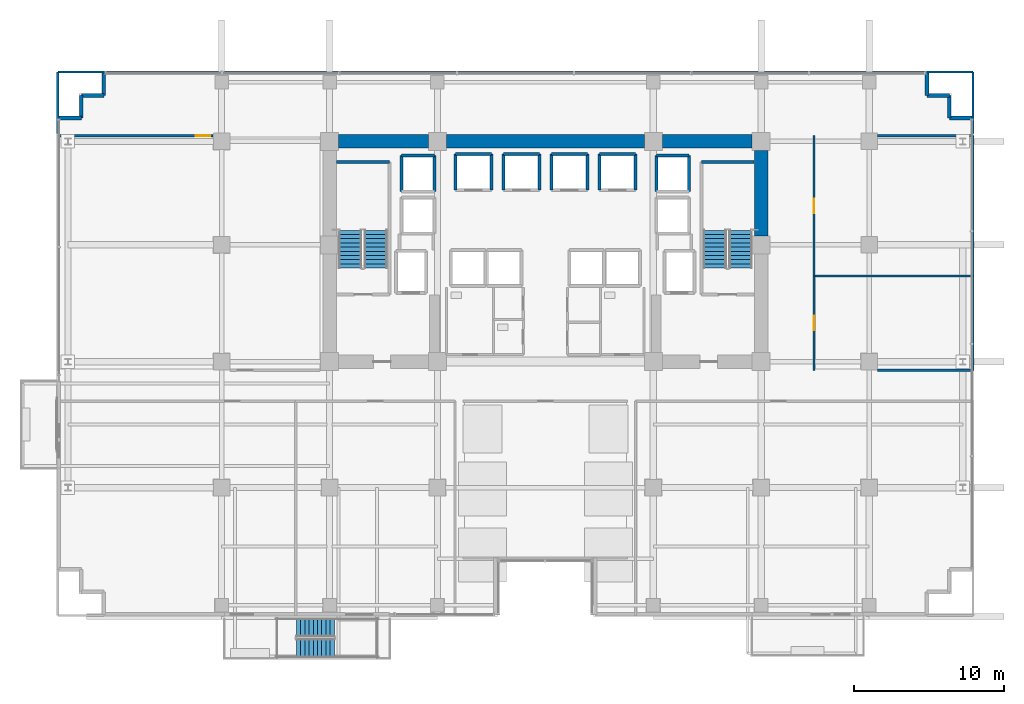
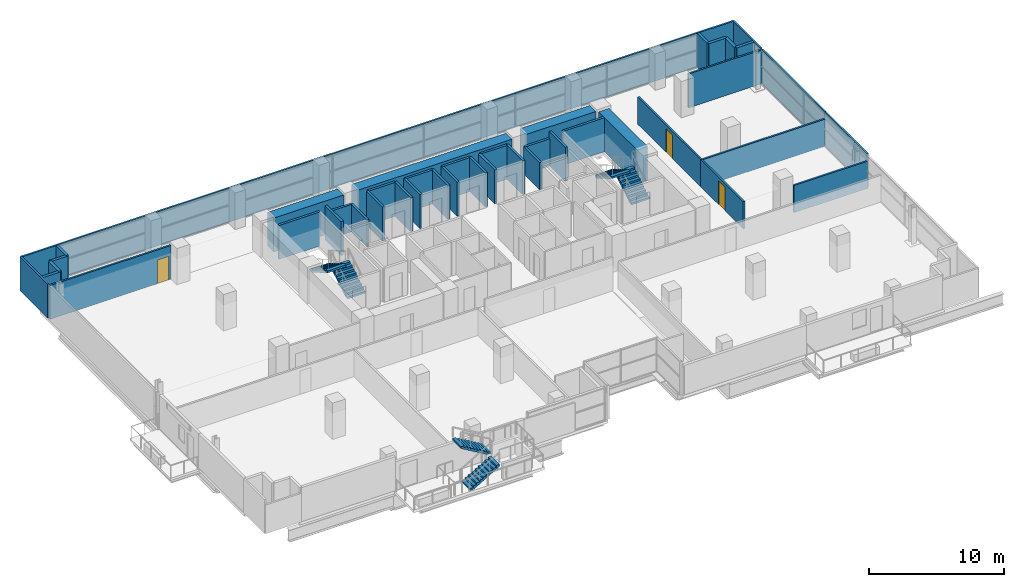
# One storey, part 27 of 32: 43 walls, 6 stair flights, 3 doors, 3 openings, 3 elements without a shape of their own.
"""IFC4 building model written with IfcOpenShell, lengths in metres."""

from ifc_helpers import new_model, si_unit, direction, frame, frame_2d, origin, place, context, subcontext, project, spatial, polyline, rectangle, outline, extrude, source, transform, mapped, material, layer, layer_set, type_object, element, fill, aggregate, save


model = new_model("IFC4")

# Units and contexts
model_context = context("Model", 3, precision=1e-05, world=origin(), true_north=direction((0.0, 1.0)))
body_context = subcontext(model_context, "Body", "Model", "MODEL_VIEW")
ifc_project = project(units=[si_unit("LENGTHUNIT", "METRE"), si_unit("AREAUNIT", "SQUARE_METRE"), si_unit("VOLUMEUNIT", "CUBIC_METRE"), si_unit("PLANEANGLEUNIT", "RADIAN"), si_unit("MASSUNIT", "GRAM", prefix="KILO")], contexts=[model_context])

# Site, building, storey
site_placement = place(None, origin())
site = spatial("IfcSite", under=ifc_project, at=site_placement, CompositionType="ELEMENT")
building_placement = place(site_placement, origin())
building = spatial("IfcBuilding", under=site, at=building_placement, Name="Zarnakvel Exchange Tower", CompositionType="ELEMENT")
storey_placement = place(building_placement, frame((0.0, 0.0, 27.39990234375)))
storey = spatial("IfcBuildingStorey", under=building, at=storey_placement, Name="L06", CompositionType="ELEMENT", Elevation=27.39990234375)

# Walls
ifc_material_1 = material(Name="Concrete C80/95", Category="concrete")
ifc_layer_1 = layer(ifc_material_1, 0.89990234375)
ifc_layer_set_1 = layer_set([ifc_layer_1], Name="Concrete C80/95")
wall_type_1 = type_object("IfcWallType", Name="CW-C1", PredefinedType="SHEAR", material=ifc_layer_set_1)
wall_1_placement = place(storey_placement, frame((-13.800048828125, 13.5, 0.0), z_axis=(0.0, 0.0, 1.0), x_axis=(1.0, 0.0, 0.0)))
element("IfcWall", 1, at=wall_1_placement, inside=storey, type_object=wall_type_1, Name="L06 Rear Core Shear Wall N1 (CW-C1)", PredefinedType="SHEAR", context=body_context, shape_type="SweptSolid", body=[
    extrude(rectangle(XDim=6.0, YDim=0.89990234375, at=frame_2d((3.0, 0.0))), origin(), (0.0, 0.0, 1.0), 3.0751953125),
])
wall_2_placement = place(storey_placement, frame((-6.60009765625, 13.5, 0.0), z_axis=(0.0, 0.0, 1.0), x_axis=(1.0, 0.0, 0.0)))
element("IfcWall", 2, at=wall_2_placement, inside=storey, type_object=wall_type_1, Name="L06 Rear Core Shear Wall N2 (CW-C1)", PredefinedType="SHEAR", context=body_context, shape_type="SweptSolid", body=[
    extrude(rectangle(XDim=13.2001953125, YDim=0.89990234375, at=frame_2d((6.60009765625, 0.0))), origin(), (0.0, 0.0, 1.0), 3.0751953125),
])
wall_3_placement = place(storey_placement, frame((7.800048828125, 13.5, 0.0), z_axis=(0.0, 0.0, 1.0), x_axis=(1.0, 0.0, 0.0)))
element("IfcWall", 3, at=wall_3_placement, inside=storey, type_object=wall_type_1, Name="L06 Rear Core Shear Wall N3 (CW-C1)", PredefinedType="SHEAR", context=body_context, shape_type="SweptSolid", body=[
    extrude(rectangle(XDim=6.0, YDim=0.89990234375, at=frame_2d((3.0, 0.0))), origin(), (0.0, 0.0, 1.0), 3.0751953125),
])
wall_4_placement = place(storey_placement, frame((14.39990234375, 7.199951171875, 0.0), z_axis=(0.0, 0.0, 1.0), x_axis=(0.0, 1.0, 0.0)))
element("IfcWall", 4, at=wall_4_placement, inside=storey, type_object=wall_type_1, Name="L06 Rear Core Shear Wall E2 (CW-C1)", PredefinedType="SHEAR", context=body_context, shape_type="SweptSolid", body=[
    extrude(rectangle(XDim=5.699951171875, YDim=0.89990234375, at=frame_2d((2.85009765625, 0.0))), origin(), (0.0, 0.0, 1.0), 3.0751953125),
])
ifc_material_2 = material(Name="Precast concrete C40/50", Category="concrete")
ifc_layer_2 = layer(ifc_material_2, 0.239990234375)
ifc_layer_set_2 = layer_set([ifc_layer_2], Name="Precast concrete C40/50")
wall_type_2 = type_object("IfcWallType", Name="EW-02", PredefinedType="SOLIDWALL", material=ifc_layer_set_2)
for number, where, z_axis, x_axis, name in (
    (5, (-30.9599609375, 15.06005859375, 0.0), (0.0, 0.0, 1.0), (-1.0, 0.0, 0.0), "L06 Exterior Precast Spandrel Wall EWC-L06-03 (EW-02)"),
    (6, (-30.9599609375, 16.56005859375, 0.0), (0.0, 0.0, 1.0), (0.0, -1.0, 0.0), "L06 Exterior Precast Spandrel Wall EWC-L06-04 (EW-02)"),
    (7, (-29.4599609375, 16.56005859375, 0.0), (0.0, 0.0, 1.0), (-1.0, 0.0, 0.0), "L06 Exterior Precast Spandrel Wall EWC-L06-05 (EW-02)"),
    (8, (-29.4599609375, 18.06005859375, 0.0), (0.0, 0.0, 1.0), (0.0, -1.0, 0.0), "L06 Exterior Precast Spandrel Wall EWC-L06-06 (EW-02)"),
    (9, (25.4599609375, 16.56005859375, 0.0), (0.0, 0.0, 1.0), (0.0, 1.0, 0.0), "L06 Exterior Precast Spandrel Wall EWC-L06-07 (EW-02)"),
    (10, (26.9599609375, 16.56005859375, 0.0), (0.0, 0.0, 1.0), (-1.0, 0.0, 0.0), "L06 Exterior Precast Spandrel Wall EWC-L06-08 (EW-02)"),
    (11, (26.9599609375, 15.06005859375, 0.0), (0.0, 0.0, 1.0), (0.0, 1.0, 0.0), "L06 Exterior Precast Spandrel Wall EWC-L06-09 (EW-02)"),
    (12, (28.4599609375, 15.06005859375, 0.0), (0.0, 0.0, 1.0), (-1.0, 0.0, 0.0), "L06 Exterior Precast Spandrel Wall EWC-L06-10 (EW-02)"),
):
    element("IfcWall", number, at=place(storey_placement, frame(where, z_axis=z_axis, x_axis=x_axis)), inside=storey, type_object=wall_type_2, Name=name, PredefinedType="SOLIDWALL", context=body_context, shape_type="SweptSolid", body=[
        extrude(rectangle(XDim=1.5, YDim=0.239990234375, at=frame_2d((0.75, 0.0))), origin(), (0.0, 0.0, 1.0), 3.0751953125),
    ])

# Wall, opening, door
ifc_material_3 = material(Name="Fire-Rated Gypsum Stud Partition", Category="gypsum")
ifc_layer_3 = layer(ifc_material_3, 0.14990234375)
ifc_layer_set_3 = layer_set([ifc_layer_3], Name="Fire-Rated Gypsum Stud Partition")
wall_type_3 = type_object("IfcWallType", Name="PT-01", PredefinedType="PARTITIONING", material=ifc_layer_set_3)
wall_5_placement = place(storey_placement, frame((-32.530029296875, 13.8798828125, 0.0), z_axis=(0.0, 0.0, 1.0), x_axis=(1.0, 0.0, 0.0)))
wall_5 = element("IfcWall", 13, at=wall_5_placement, inside=storey, type_object=wall_type_3, Name="L06 Partition Wall PWALL-L06-041 (PT-01)", PredefinedType="PARTITIONING", context=body_context, shape_type="SweptSolid", body=[
    extrude(rectangle(XDim=10.360107421875, YDim=0.14990234375, at=frame_2d((5.18017578125, 0.0))), origin(), (0.0, 0.0, 1.0), 3.0751953125),
])
opening_1_placement = place(wall_5_placement, frame((9.199951171875, 0.0, 0.0)))
opening_1 = element("IfcOpeningElement", 14, at=opening_1_placement, cuts=wall_5, Name="Opening D-L06-18", PredefinedType="OPENING", context=body_context, shape_type="SweptSolid", body=[
    extrude(rectangle(XDim=0.97998046875, YDim=2.14990234375, at=frame_2d((0.489990234375, 1.074951171875))), frame((0.0, 0.0849609375, 0.0), z_axis=(0.0, -1.0, 0.0), x_axis=(1.0, 0.0, 0.0)), (0.0, 0.0, 1.0), 0.169921875),
])
ifc_material_4 = material(Name="Timber Acoustic Veneer", Category="wood")
door_type = type_object("IfcDoorType", Name="DT-05", OperationType="NOTDEFINED", PredefinedType="DOOR", material=ifc_material_4)
shared_shape = source(origin(), body_context, "Body", "SweptSolid", [
    extrude(rectangle(XDim=0.97998046875, YDim=2.14990234375, at=frame_2d((0.489990234375, 1.074951171875))), frame((0.0, 0.02490234375, 0.0), z_axis=(0.0, -1.0, 0.0), x_axis=(1.0, 0.0, 0.0)), (0.0, 0.0, 1.0), 0.050048828125),
])
door_1_placement = place(opening_1_placement, origin())
door_1 = element("IfcDoor", 15, at=door_1_placement, inside=storey, type_object=door_type, Name="L06 Market Data Suite Door D-L06-18", OperationType="SINGLE_SWING_LEFT", OverallHeight=2.14990234375, OverallWidth=0.97998046875, PredefinedType="DOOR", context=body_context, shape_type="MappedRepresentation", body=[
    mapped(shared_shape, transform((0.0, 0.0, 0.0), x_axis=(1.0, 0.0, 0.0), y_axis=(0.0, 1.0, 0.0), z_axis=(0.0, 0.0, 1.0), scale=1.0)),
])
fill(opening_1, door_1)

# Walls
wall_6_placement = place(storey_placement, frame((28.530029296875, -1.77001953125, 0.0), z_axis=(0.0, 0.0, 1.0), x_axis=(-1.0, 0.0, 0.0)))
element("IfcWall", 16, at=wall_6_placement, inside=storey, type_object=wall_type_3, Name="L06 Partition Wall PWALL-L06-043 (PT-01)", PredefinedType="PARTITIONING", context=body_context, shape_type="SweptSolid", body=[
    extrude(rectangle(XDim=6.360107421875, YDim=0.14990234375, at=frame_2d((3.18017578125, 0.0))), origin(), (0.0, 0.0, 1.0), 2.465087890625),
])
wall_7_placement = place(storey_placement, frame((17.929931640625, 4.52197265625, 0.0), z_axis=(0.0, 0.0, 1.0), x_axis=(1.0, 0.0, 0.0)))
element("IfcWall", 17, at=wall_7_placement, inside=storey, type_object=wall_type_3, Name="L06 Partition Wall PWALL-L06-044 (PT-01)", PredefinedType="PARTITIONING", context=body_context, shape_type="SweptSolid", body=[
    extrude(rectangle(XDim=10.60009765625, YDim=0.14990234375, at=frame_2d((5.300048828125, 0.0))), origin(), (0.0, 0.0, 1.0), 2.465087890625),
])

# Wall, opening, door
wall_8_placement = place(storey_placement, frame((17.929931640625, -1.77001953125, 0.0), z_axis=(0.0, 0.0, 1.0), x_axis=(0.0, 1.0, 0.0)))
wall_8 = element("IfcWall", 18, at=wall_8_placement, inside=storey, type_object=wall_type_3, Name="L06 Partition Wall PWALL-L06-045 (PT-01)", PredefinedType="PARTITIONING", context=body_context, shape_type="SweptSolid", body=[
    extrude(rectangle(XDim=6.2919921875, YDim=0.14990234375, at=frame_2d((3.14599609375, 0.0))), origin(), (0.0, 0.0, 1.0), 2.465087890625),
])
opening_2_placement = place(wall_8_placement, frame((2.656005859375, 0.0, 0.0)))
opening_2 = element("IfcOpeningElement", 19, at=opening_2_placement, cuts=wall_8, Name="Opening D-L06-16", PredefinedType="OPENING", context=body_context, shape_type="SweptSolid", body=[
    extrude(rectangle(XDim=0.97998046875, YDim=2.14990234375, at=frame_2d((0.489990234375, 1.074951171875))), frame((0.0, 0.0849609375, 0.0), z_axis=(0.0, -1.0, 0.0), x_axis=(1.0, 0.0, 0.0)), (0.0, 0.0, 1.0), 0.169921875),
])
door_2_placement = place(opening_2_placement, origin())
door_2 = element("IfcDoor", 20, at=door_2_placement, inside=storey, type_object=door_type, Name="L06 Staff Pantry Door D-L06-16", OperationType="SINGLE_SWING_LEFT", OverallHeight=2.14990234375, OverallWidth=0.97998046875, PredefinedType="DOOR", context=body_context, shape_type="MappedRepresentation", body=[
    mapped(shared_shape, transform((0.0, 0.0, 0.0), x_axis=(1.0, 0.0, 0.0), y_axis=(0.0, 1.0, 0.0), z_axis=(0.0, 0.0, 1.0), scale=1.0)),
])
fill(opening_2, door_2)

# Walls
wall_9_placement = place(storey_placement, frame((28.530029296875, 4.52197265625, 0.0), z_axis=(0.0, 0.0, 1.0), x_axis=(0.0, -1.0, 0.0)))
element("IfcWall", 21, at=wall_9_placement, inside=storey, type_object=wall_type_3, Name="L06 Partition Wall PWALL-L06-046 (PT-01)", PredefinedType="PARTITIONING", context=body_context, shape_type="SweptSolid", body=[
    extrude(rectangle(XDim=6.2919921875, YDim=0.14990234375, at=frame_2d((3.14599609375, 0.0))), origin(), (0.0, 0.0, 1.0), 3.0751953125),
])
wall_10_placement = place(storey_placement, frame((22.169921875, 13.8798828125, 0.0), z_axis=(0.0, 0.0, 1.0), x_axis=(1.0, 0.0, 0.0)))
element("IfcWall", 22, at=wall_10_placement, inside=storey, type_object=wall_type_3, Name="L06 Partition Wall PWALL-L06-047 (PT-01)", PredefinedType="PARTITIONING", context=body_context, shape_type="SweptSolid", body=[
    extrude(rectangle(XDim=6.360107421875, YDim=0.14990234375, at=frame_2d((3.18017578125, 0.0))), origin(), (0.0, 0.0, 1.0), 3.0751953125),
])

# Wall, opening, door
wall_11_placement = place(storey_placement, frame((17.929931640625, 4.52197265625, 0.0), z_axis=(0.0, 0.0, 1.0), x_axis=(0.0, 1.0, 0.0)))
wall_11 = element("IfcWall", 23, at=wall_11_placement, inside=storey, type_object=wall_type_3, Name="L06 Partition Wall PWALL-L06-048 (PT-01)", PredefinedType="PARTITIONING", context=body_context, shape_type="SweptSolid", body=[
    extrude(rectangle(XDim=9.35791015625, YDim=0.14990234375, at=frame_2d((4.678955078125, 0.0))), origin(), (0.0, 0.0, 1.0), 2.465087890625),
])
opening_3_placement = place(wall_11_placement, frame((4.18896484375, 0.0, 0.0)))
opening_3 = element("IfcOpeningElement", 24, at=opening_3_placement, cuts=wall_11, Name="Opening D-L06-17", PredefinedType="OPENING", context=body_context, shape_type="SweptSolid", body=[
    extrude(rectangle(XDim=0.97998046875, YDim=2.14990234375, at=frame_2d((0.489990234375, 1.074951171875))), frame((0.0, 0.0849609375, 0.0), z_axis=(0.0, -1.0, 0.0), x_axis=(1.0, 0.0, 0.0)), (0.0, 0.0, 1.0), 0.169921875),
])
door_3_placement = place(opening_3_placement, origin())
door_3 = element("IfcDoor", 25, at=door_3_placement, inside=storey, type_object=door_type, Name="L06 Market Data Suite Door D-L06-17", OperationType="SINGLE_SWING_RIGHT", OverallHeight=2.14990234375, OverallWidth=0.97998046875, PredefinedType="DOOR", context=body_context, shape_type="MappedRepresentation", body=[
    mapped(shared_shape, transform((0.0, 0.0, 0.0), x_axis=(1.0, 0.0, 0.0), y_axis=(0.0, 1.0, 0.0), z_axis=(0.0, 0.0, 1.0), scale=1.0)),
])
fill(opening_3, door_3)

# Walls
wall_12_placement = place(storey_placement, frame((28.530029296875, 13.8798828125, 0.0), z_axis=(0.0, 0.0, 1.0), x_axis=(0.0, -1.0, 0.0)))
element("IfcWall", 26, at=wall_12_placement, inside=storey, type_object=wall_type_3, Name="L06 Partition Wall PWALL-L06-049 (PT-01)", PredefinedType="PARTITIONING", context=body_context, shape_type="SweptSolid", body=[
    extrude(rectangle(XDim=9.35791015625, YDim=0.14990234375, at=frame_2d((4.678955078125, 0.0))), origin(), (0.0, 0.0, 1.0), 3.0751953125),
])
wall_13_placement = place(storey_placement, frame((-32.530029296875, 18.1298828125, 0.0), z_axis=(0.0, 0.0, 1.0), x_axis=(1.0, 0.0, 0.0)))
element("IfcWall", 27, at=wall_13_placement, inside=storey, type_object=wall_type_3, Name="L06 Partition Wall PWALL-L06-050 (PT-01)", PredefinedType="PARTITIONING", context=body_context, shape_type="SweptSolid", body=[
    extrude(rectangle(XDim=61.06005859375, YDim=0.14990234375, at=frame_2d((30.530029296875, 0.0))), origin(), (0.0, 0.0, 1.0), 3.0751953125),
])
for number, where, z_axis, x_axis, name in (
    (28, (-32.530029296875, 14.030029296875, 0.0), (0.0, 0.0, 1.0), (0.0, 1.0, 0.0), "L06 Partition Wall PWALL-L06-051 (PT-01)"),
    (29, (28.530029296875, 18.1298828125, 0.0), (0.0, 0.0, 1.0), (0.0, -1.0, 0.0), "L06 Partition Wall PWALL-L06-052 (PT-01)"),
):
    element("IfcWall", number, at=place(storey_placement, frame(where, z_axis=z_axis, x_axis=x_axis)), inside=storey, type_object=wall_type_3, Name=name, PredefinedType="PARTITIONING", context=body_context, shape_type="SweptSolid", body=[
        extrude(rectangle(XDim=4.099853515625, YDim=0.14990234375, at=frame_2d((2.0498046875, 0.0))), origin(), (0.0, 0.0, 1.0), 3.0751953125),
    ])
ifc_material_5 = material(Name="Concrete C40/50", Category="concrete")
ifc_layer_4 = layer(ifc_material_5, 0.199951171875)
ifc_layer_set_4 = layer_set([ifc_layer_4], Name="Concrete C40/50")
wall_type_4 = type_object("IfcWallType", Name="SW-01", PredefinedType="SOLIDWALL", material=ifc_layer_set_4)
for number, where, z_axis, x_axis, name in (
    (30, (-6.0, 12.64990234375, 0.0), (0.0, 0.0, 1.0), (1.0, 0.0, 0.0), "L06 PL-01 Hoistway Wall North"),
    (31, (-6.0, 10.25, 0.0), (0.0, 0.0, 1.0), (0.0, 1.0, 0.0), "L06 PL-01 Hoistway Wall West"),
    (32, (-3.60009765625, 12.64990234375, 0.0), (0.0, 0.0, 1.0), (0.0, -1.0, 0.0), "L06 PL-01 Hoistway Wall East"),
):
    element("IfcWall", number, at=place(storey_placement, frame(where, z_axis=z_axis, x_axis=x_axis)), inside=storey, type_object=wall_type_4, Name=name, PredefinedType="SOLIDWALL", context=body_context, shape_type="SweptSolid", body=[
        extrude(rectangle(XDim=2.39990234375, YDim=0.199951171875, at=frame_2d((1.199951171875, 0.0))), origin(), (0.0, 0.0, 1.0), 3.0751953125),
    ])
wall_14_placement = place(storey_placement, frame((-2.800048828125, 12.64990234375, 0.0), z_axis=(0.0, 0.0, 1.0), x_axis=(1.0, 0.0, 0.0)))
element("IfcWall", 33, at=wall_14_placement, inside=storey, type_object=wall_type_4, Name="L06 PL-02 Hoistway Wall North", PredefinedType="SOLIDWALL", context=body_context, shape_type="SweptSolid", body=[
    extrude(rectangle(XDim=2.400146484375, YDim=0.199951171875, at=frame_2d((1.2001953125, 0.0))), origin(), (0.0, 0.0, 1.0), 3.0751953125),
])
for number, where, z_axis, x_axis, name in (
    (34, (-2.800048828125, 10.25, 0.0), (0.0, 0.0, 1.0), (0.0, 1.0, 0.0), "L06 PL-02 Hoistway Wall West"),
    (35, (-0.39990234375, 12.64990234375, 0.0), (0.0, 0.0, 1.0), (0.0, -1.0, 0.0), "L06 PL-02 Hoistway Wall East"),
):
    element("IfcWall", number, at=place(storey_placement, frame(where, z_axis=z_axis, x_axis=x_axis)), inside=storey, type_object=wall_type_4, Name=name, PredefinedType="SOLIDWALL", context=body_context, shape_type="SweptSolid", body=[
        extrude(rectangle(XDim=2.39990234375, YDim=0.199951171875, at=frame_2d((1.199951171875, 0.0))), origin(), (0.0, 0.0, 1.0), 3.0751953125),
    ])
wall_15_placement = place(storey_placement, frame((0.39990234375, 12.64990234375, 0.0), z_axis=(0.0, 0.0, 1.0), x_axis=(1.0, 0.0, 0.0)))
element("IfcWall", 36, at=wall_15_placement, inside=storey, type_object=wall_type_4, Name="L06 PL-03 Hoistway Wall North", PredefinedType="SOLIDWALL", context=body_context, shape_type="SweptSolid", body=[
    extrude(rectangle(XDim=2.400146484375, YDim=0.199951171875, at=frame_2d((1.2001953125, 0.0))), origin(), (0.0, 0.0, 1.0), 3.0751953125),
])
for number, where, z_axis, x_axis, name in (
    (37, (0.39990234375, 10.25, 0.0), (0.0, 0.0, 1.0), (0.0, 1.0, 0.0), "L06 PL-03 Hoistway Wall West"),
    (38, (2.800048828125, 12.64990234375, 0.0), (0.0, 0.0, 1.0), (0.0, -1.0, 0.0), "L06 PL-03 Hoistway Wall East"),
    (39, (3.60009765625, 12.64990234375, 0.0), (0.0, 0.0, 1.0), (1.0, 0.0, 0.0), "L06 PL-04 Hoistway Wall North"),
    (40, (3.60009765625, 10.25, 0.0), (0.0, 0.0, 1.0), (0.0, 1.0, 0.0), "L06 PL-04 Hoistway Wall West"),
    (41, (6.0, 12.64990234375, 0.0), (0.0, 0.0, 1.0), (0.0, -1.0, 0.0), "L06 PL-04 Hoistway Wall East"),
):
    element("IfcWall", number, at=place(storey_placement, frame(where, z_axis=z_axis, x_axis=x_axis)), inside=storey, type_object=wall_type_4, Name=name, PredefinedType="SOLIDWALL", context=body_context, shape_type="SweptSolid", body=[
        extrude(rectangle(XDim=2.39990234375, YDim=0.199951171875, at=frame_2d((1.199951171875, 0.0))), origin(), (0.0, 0.0, 1.0), 3.0751953125),
    ])
wall_16_placement = place(storey_placement, frame((-9.60009765625, 12.550048828125, 0.0), z_axis=(0.0, 0.0, 1.0), x_axis=(1.0, 0.0, 0.0)))
element("IfcWall", 42, at=wall_16_placement, inside=storey, type_object=wall_type_4, Name="L06 PL-10 Hoistway Wall North", PredefinedType="SOLIDWALL", context=body_context, shape_type="SweptSolid", body=[
    extrude(rectangle(XDim=2.2001953125, YDim=0.199951171875, at=frame_2d((1.10009765625, 0.0))), origin(), (0.0, 0.0, 1.0), 2.465087890625),
])
wall_17_placement = place(storey_placement, frame((-9.60009765625, 10.14990234375, 0.0), z_axis=(0.0, 0.0, 1.0), x_axis=(0.0, 1.0, 0.0)))
element("IfcWall", 43, at=wall_17_placement, inside=storey, type_object=wall_type_4, Name="L06 PL-10 Hoistway Wall West", PredefinedType="SOLIDWALL", context=body_context, shape_type="SweptSolid", body=[
    extrude(rectangle(XDim=2.400146484375, YDim=0.199951171875, at=frame_2d((1.2001953125, 0.0))), origin(), (0.0, 0.0, 1.0), 3.0751953125),
])
wall_18_placement = place(storey_placement, frame((-7.39990234375, 12.550048828125, 0.0), z_axis=(0.0, 0.0, 1.0), x_axis=(0.0, -1.0, 0.0)))
element("IfcWall", 44, at=wall_18_placement, inside=storey, type_object=wall_type_4, Name="L06 PL-10 Hoistway Wall East", PredefinedType="SOLIDWALL", context=body_context, shape_type="SweptSolid", body=[
    extrude(rectangle(XDim=2.400146484375, YDim=0.199951171875, at=frame_2d((1.2001953125, 0.0))), origin(), (0.0, 0.0, 1.0), 2.465087890625),
])
wall_19_placement = place(storey_placement, frame((7.39990234375, 12.550048828125, 0.0), z_axis=(0.0, 0.0, 1.0), x_axis=(1.0, 0.0, 0.0)))
element("IfcWall", 45, at=wall_19_placement, inside=storey, type_object=wall_type_4, Name="L06 PL-12 Hoistway Wall North", PredefinedType="SOLIDWALL", context=body_context, shape_type="SweptSolid", body=[
    extrude(rectangle(XDim=2.2001953125, YDim=0.199951171875, at=frame_2d((1.10009765625, 0.0))), origin(), (0.0, 0.0, 1.0), 2.465087890625),
])
wall_20_placement = place(storey_placement, frame((7.39990234375, 10.14990234375, 0.0), z_axis=(0.0, 0.0, 1.0), x_axis=(0.0, 1.0, 0.0)))
element("IfcWall", 46, at=wall_20_placement, inside=storey, type_object=wall_type_4, Name="L06 PL-12 Hoistway Wall West", PredefinedType="SOLIDWALL", context=body_context, shape_type="SweptSolid", body=[
    extrude(rectangle(XDim=2.400146484375, YDim=0.199951171875, at=frame_2d((1.2001953125, 0.0))), origin(), (0.0, 0.0, 1.0), 2.465087890625),
])
wall_21_placement = place(storey_placement, frame((9.60009765625, 12.550048828125, 0.0), z_axis=(0.0, 0.0, 1.0), x_axis=(0.0, -1.0, 0.0)))
element("IfcWall", 47, at=wall_21_placement, inside=storey, type_object=wall_type_4, Name="L06 PL-12 Hoistway Wall East", PredefinedType="SOLIDWALL", context=body_context, shape_type="SweptSolid", body=[
    extrude(rectangle(XDim=2.400146484375, YDim=0.199951171875, at=frame_2d((1.2001953125, 0.0))), origin(), (0.0, 0.0, 1.0), 3.0751953125),
])
ifc_layer_5 = layer(ifc_material_5, 0.199951171875)
ifc_layer_set_5 = layer_set([ifc_layer_5], Name="Concrete C40/50")
wall_type_5 = type_object("IfcWallType", Name="SW-02", PredefinedType="SOLIDWALL", material=ifc_layer_set_5)
for number, where, z_axis, x_axis, name in (
    (48, (-13.929931640625, 12.1298828125, 0.0), (0.0, 0.0, 1.0), (1.0, 0.0, 0.0), "L06 Stairwell Core Wall PWALL-L06-002 (SW-02)"),
    (49, (10.409912109375, 12.1298828125, 0.0), (0.0, 0.0, 1.0), (1.0, 0.0, 0.0), "L06 Stairwell Core Wall PWALL-L06-005 (SW-02)"),
):
    element("IfcWall", number, at=place(storey_placement, frame(where, z_axis=z_axis, x_axis=x_axis)), inside=storey, type_object=wall_type_5, Name=name, PredefinedType="SOLIDWALL", context=body_context, shape_type="SweptSolid", body=[
        extrude(rectangle(XDim=3.52001953125, YDim=0.199951171875, at=frame_2d((1.760009765625, 0.0))), origin(), (0.0, 0.0, 1.0), 3.0751953125),
    ])

# Stair, stair flights
stair_type_1 = type_object("IfcStairType", Name="STR-01", PredefinedType="HALF_TURN_STAIR", material=ifc_material_5)
stair_1_placement = place(storey_placement, origin())
stair_1 = element("IfcStair", 50, at=stair_1_placement, inside=storey, type_object=stair_type_1, Name="L06 Protected Core Exit Stair ST-01", PredefinedType="HALF_TURN_STAIR")
stair_flight_type_1 = type_object("IfcStairFlightType", Name="FLT-01", PredefinedType="STRAIGHT", material=ifc_material_5)
stair_flight_1_placement = place(storey_placement, frame((-11.31494140625, 5.050048828125, 0.0), z_axis=(0.0, 0.0, 1.0), x_axis=(0.0, 1.0, 0.0)))
stair_flight_1 = element("IfcStairFlight", 51, at=stair_flight_1_placement, type_object=stair_flight_type_1, Name="ST-01 flight 1", NumberOfRisers=10, NumberOfTreads=9, PredefinedType="STRAIGHT", RiserHeight=0.165, TreadLength=0.28, context=body_context, shape_type="SweptSolid", body=[
    extrude(outline(polyline([(0.0, 0.0), (0.0, 0.1650390625), (0.280029296875, 0.1650390625), (0.280029296875, 0.330078125), (0.56005859375, 0.330078125), (0.56005859375, 0.4951171875), (0.840087890625, 0.4951171875), (0.840087890625, 0.659912109375), (1.1201171875, 0.659912109375), (1.1201171875, 0.824951171875), (1.39990234375, 0.824951171875), (1.39990234375, 0.989990234375), (1.679931640625, 0.989990234375), (1.679931640625, 1.155029296875), (1.9599609375, 1.155029296875), (1.9599609375, 1.320068359375), (2.239990234375, 1.320068359375), (2.239990234375, 1.485107421875), (2.52001953125, 1.485107421875), (2.52001953125, 1.64990234375), (2.52001953125, 1.31103515625), (0.295166015625, 0.0), (0.0, 0.0)])), frame((0.0, 0.77490234375, 0.0), z_axis=(0.0, -1.0, 0.0), x_axis=(1.0, 0.0, 0.0)), (0.0, 0.0, 1.0), 1.550048828125),
])
stair_flight_2_placement = place(storey_placement, frame((-13.02490234375, 7.570068359375, 1.650146484375), z_axis=(0.0, 0.0, 1.0), x_axis=(0.0, -1.0, 0.0)))
stair_flight_2 = element("IfcStairFlight", 52, at=stair_flight_2_placement, type_object=stair_flight_type_1, Name="ST-01 flight 2", NumberOfRisers=10, NumberOfTreads=9, PredefinedType="STRAIGHT", RiserHeight=0.165, TreadLength=0.28, context=body_context, shape_type="SweptSolid", body=[
    extrude(outline(polyline([(0.0, 0.0), (0.0, 0.1650390625), (0.280029296875, 0.1650390625), (0.280029296875, 0.330078125), (0.56005859375, 0.330078125), (0.56005859375, 0.4951171875), (0.840087890625, 0.4951171875), (0.840087890625, 0.659912109375), (1.1201171875, 0.659912109375), (1.1201171875, 0.824951171875), (1.39990234375, 0.824951171875), (1.39990234375, 0.989990234375), (1.679931640625, 0.989990234375), (1.679931640625, 1.155029296875), (1.9599609375, 1.155029296875), (1.9599609375, 1.320068359375), (2.239990234375, 1.320068359375), (2.239990234375, 1.485107421875), (2.52001953125, 1.485107421875), (2.52001953125, 1.64990234375), (2.52001953125, 1.31103515625), (0.295166015625, 0.0), (0.0, 0.0)])), frame((0.0, 0.77490234375, 0.0), z_axis=(0.0, -1.0, 0.0), x_axis=(1.0, 0.0, 0.0)), (0.0, 0.0, 1.0), 1.550048828125),
])
aggregate(stair_1, [stair_flight_1, stair_flight_2])

stair_2_placement = place(storey_placement, origin())
stair_2 = element("IfcStair", 53, at=stair_2_placement, inside=storey, type_object=stair_type_1, Name="L06 Protected Core Exit Stair ST-02", PredefinedType="HALF_TURN_STAIR")
stair_flight_3_placement = place(storey_placement, frame((13.02490234375, 5.050048828125, 0.0), z_axis=(0.0, 0.0, 1.0), x_axis=(0.0, 1.0, 0.0)))
stair_flight_3 = element("IfcStairFlight", 54, at=stair_flight_3_placement, type_object=stair_flight_type_1, Name="ST-02 flight 1", NumberOfRisers=10, NumberOfTreads=9, PredefinedType="STRAIGHT", RiserHeight=0.165, TreadLength=0.28, context=body_context, shape_type="SweptSolid", body=[
    extrude(outline(polyline([(0.0, 0.0), (0.0, 0.1650390625), (0.280029296875, 0.1650390625), (0.280029296875, 0.330078125), (0.56005859375, 0.330078125), (0.56005859375, 0.4951171875), (0.840087890625, 0.4951171875), (0.840087890625, 0.659912109375), (1.1201171875, 0.659912109375), (1.1201171875, 0.824951171875), (1.39990234375, 0.824951171875), (1.39990234375, 0.989990234375), (1.679931640625, 0.989990234375), (1.679931640625, 1.155029296875), (1.9599609375, 1.155029296875), (1.9599609375, 1.320068359375), (2.239990234375, 1.320068359375), (2.239990234375, 1.485107421875), (2.52001953125, 1.485107421875), (2.52001953125, 1.64990234375), (2.52001953125, 1.31103515625), (0.295166015625, 0.0), (0.0, 0.0)])), frame((0.0, 0.77490234375, 0.0), z_axis=(0.0, -1.0, 0.0), x_axis=(1.0, 0.0, 0.0)), (0.0, 0.0, 1.0), 1.550048828125),
])
stair_flight_4_placement = place(storey_placement, frame((11.31494140625, 7.570068359375, 1.650146484375), z_axis=(0.0, 0.0, 1.0), x_axis=(0.0, -1.0, 0.0)))
stair_flight_4 = element("IfcStairFlight", 55, at=stair_flight_4_placement, type_object=stair_flight_type_1, Name="ST-02 flight 2", NumberOfRisers=10, NumberOfTreads=9, PredefinedType="STRAIGHT", RiserHeight=0.165, TreadLength=0.28, context=body_context, shape_type="SweptSolid", body=[
    extrude(outline(polyline([(0.0, 0.0), (0.0, 0.1650390625), (0.280029296875, 0.1650390625), (0.280029296875, 0.330078125), (0.56005859375, 0.330078125), (0.56005859375, 0.4951171875), (0.840087890625, 0.4951171875), (0.840087890625, 0.659912109375), (1.1201171875, 0.659912109375), (1.1201171875, 0.824951171875), (1.39990234375, 0.824951171875), (1.39990234375, 0.989990234375), (1.679931640625, 0.989990234375), (1.679931640625, 1.155029296875), (1.9599609375, 1.155029296875), (1.9599609375, 1.320068359375), (2.239990234375, 1.320068359375), (2.239990234375, 1.485107421875), (2.52001953125, 1.485107421875), (2.52001953125, 1.64990234375), (2.52001953125, 1.31103515625), (0.295166015625, 0.0), (0.0, 0.0)])), frame((0.0, 0.77490234375, 0.0), z_axis=(0.0, -1.0, 0.0), x_axis=(1.0, 0.0, 0.0)), (0.0, 0.0, 1.0), 1.550048828125),
])
aggregate(stair_2, [stair_flight_3, stair_flight_4])

stair_type_2 = type_object("IfcStairType", Name="STR-05", PredefinedType="HALF_TURN_STAIR", material=ifc_material_5)
stair_3_placement = place(storey_placement, origin())
stair_3 = element("IfcStair", 56, at=stair_3_placement, inside=storey, type_object=stair_type_2, Name="L06 Spiral Sky-Terrace Connecting Stair ST-07", PredefinedType="HALF_TURN_STAIR")
stair_flight_type_2 = type_object("IfcStairFlightType", Name="FLT-05", PredefinedType="STRAIGHT", material=ifc_material_5)
stair_flight_5_placement = place(storey_placement, frame((-16.60009765625, -20.31494140625, 0.0), z_axis=(0.0, 0.0, 1.0), x_axis=(1.0, 0.0, 0.0)))
stair_flight_5 = element("IfcStairFlight", 57, at=stair_flight_5_placement, type_object=stair_flight_type_2, Name="ST-07 flight 1", NumberOfRisers=10, NumberOfTreads=9, PredefinedType="STRAIGHT", RiserHeight=0.165, TreadLength=0.28, context=body_context, shape_type="SweptSolid", body=[
    extrude(outline(polyline([(0.0, 0.0), (0.0, 0.1650390625), (0.280029296875, 0.1650390625), (0.280029296875, 0.330078125), (0.56005859375, 0.330078125), (0.56005859375, 0.4951171875), (0.840087890625, 0.4951171875), (0.840087890625, 0.659912109375), (1.1201171875, 0.659912109375), (1.1201171875, 0.824951171875), (1.39990234375, 0.824951171875), (1.39990234375, 0.989990234375), (1.679931640625, 0.989990234375), (1.679931640625, 1.155029296875), (1.9599609375, 1.155029296875), (1.9599609375, 1.320068359375), (2.239990234375, 1.320068359375), (2.239990234375, 1.485107421875), (2.52001953125, 1.485107421875), (2.52001953125, 1.64990234375), (2.52001953125, 1.31103515625), (0.295166015625, 0.0), (0.0, 0.0)])), frame((0.0, 0.625, 0.0), z_axis=(0.0, -1.0, 0.0), x_axis=(1.0, 0.0, 0.0)), (0.0, 0.0, 1.0), 1.25),
])
stair_flight_6_placement = place(storey_placement, frame((-14.080078125, -18.945068359375, 1.650146484375), z_axis=(0.0, 0.0, 1.0), x_axis=(-1.0, 0.0, 0.0)))
stair_flight_6 = element("IfcStairFlight", 58, at=stair_flight_6_placement, type_object=stair_flight_type_2, Name="ST-07 flight 2", NumberOfRisers=10, NumberOfTreads=9, PredefinedType="STRAIGHT", RiserHeight=0.165, TreadLength=0.28, context=body_context, shape_type="SweptSolid", body=[
    extrude(outline(polyline([(0.0, 0.0), (0.0, 0.1650390625), (0.280029296875, 0.1650390625), (0.280029296875, 0.330078125), (0.56005859375, 0.330078125), (0.56005859375, 0.4951171875), (0.840087890625, 0.4951171875), (0.840087890625, 0.659912109375), (1.1201171875, 0.659912109375), (1.1201171875, 0.824951171875), (1.39990234375, 0.824951171875), (1.39990234375, 0.989990234375), (1.679931640625, 0.989990234375), (1.679931640625, 1.155029296875), (1.9599609375, 1.155029296875), (1.9599609375, 1.320068359375), (2.239990234375, 1.320068359375), (2.239990234375, 1.485107421875), (2.52001953125, 1.485107421875), (2.52001953125, 1.64990234375), (2.52001953125, 1.31103515625), (0.295166015625, 0.0), (0.0, 0.0)])), frame((0.0, 0.625, 0.0), z_axis=(0.0, -1.0, 0.0), x_axis=(1.0, 0.0, 0.0)), (0.0, 0.0, 1.0), 1.25),
])
aggregate(stair_3, [stair_flight_5, stair_flight_6])

save(model, "model.ifc")
